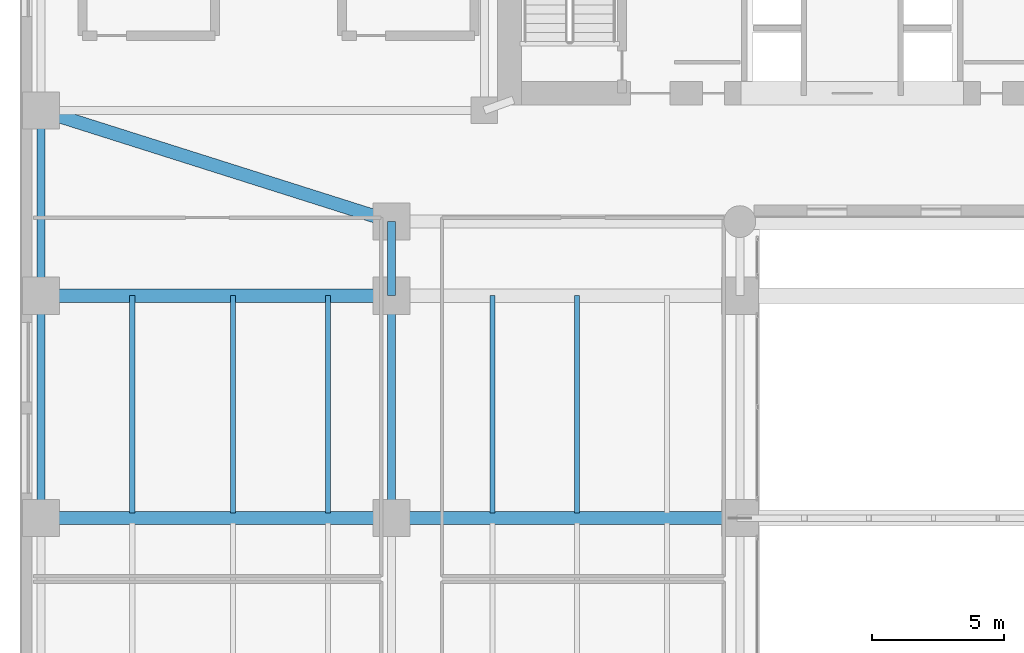
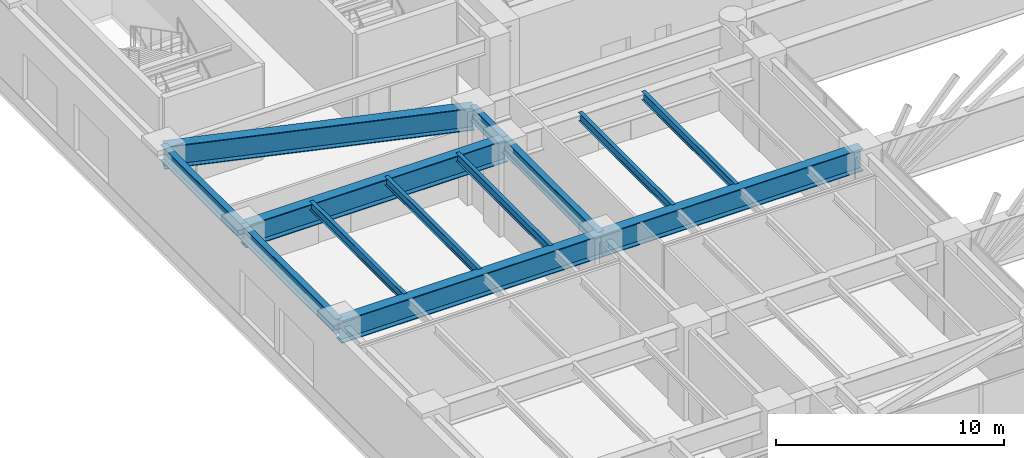
# One storey, part 10 of 39: 13 beams.
"""IFC4 building model written with IfcOpenShell, lengths in metres."""

from ifc_helpers import new_model, si_unit, direction, frame, origin, origin_2d, place, context, subcontext, project, spatial, i_section, extrude, source, transform, mapped, material, material_profile, profile_set, type_object, type_shapes, element, save


model = new_model("IFC4")

# Units and contexts
model_context = context("Model", 3, precision=1e-05, world=origin(), true_north=direction((0.0, 1.0)))
body_context = subcontext(model_context, "Body", "Model", "MODEL_VIEW")
ifc_project = project(units=[si_unit("LENGTHUNIT", "METRE"), si_unit("AREAUNIT", "SQUARE_METRE"), si_unit("VOLUMEUNIT", "CUBIC_METRE"), si_unit("PLANEANGLEUNIT", "RADIAN"), si_unit("MASSUNIT", "GRAM", prefix="KILO")], contexts=[model_context])

# Site, building, storey
site_placement = place(None, origin())
site = spatial("IfcSite", under=ifc_project, at=site_placement, CompositionType="ELEMENT")
building_placement = place(site_placement, origin())
building = spatial("IfcBuilding", under=site, at=building_placement, Name="Tolvann Quenvar Hotel", CompositionType="ELEMENT")
storey_placement = place(building_placement, frame((0.0, 0.0, 11.0)))
storey = spatial("IfcBuildingStorey", under=building, at=storey_placement, Name="L02", CompositionType="ELEMENT", Elevation=11.0)

# Beams
ifc_material = material(Name="Steel Grade 350", Category="steel")
ifc_material_profile_1 = material_profile(ifc_material, i_section(OverallWidth=0.5, OverallDepth=1.199951171875, WebThickness=0.01611328125, FlangeThickness=0.0400390625, at=origin_2d()), Name="1200WB455")
ifc_profile_set_1 = profile_set([ifc_material_profile_1], Name="Steel Grade 350")
beam_type_1 = type_object("IfcBeamType", Name="BM_TG_1200WB455", PredefinedType="USERDEFINED", material=ifc_profile_set_1)
shared_shape_1 = source(origin(), body_context, "Body", "SweptSolid", [
    extrude(i_section(OverallWidth=0.5, OverallDepth=1.199951171875, WebThickness=0.01611328125, FlangeThickness=0.0400390625, at=origin_2d()), origin(), (0.0, 0.0, 1.0), 13.25),
])
for number, where, z_axis, x_axis, name in (
    (1, (-7.64990234375, 16.0, 4.139892578125), (1.0, 0.0, 0.0), (0.0, 1.0, 0.0), "BM-L02-GW1-3"),
    (2, (-7.64990234375, 24.39990234375, 4.139892578125), (1.0, 0.0, 0.0), (0.0, 1.0, 0.0), "BM-L02-GW1-4"),
):
    element("IfcBeam", number, at=place(storey_placement, frame(where, z_axis=z_axis, x_axis=x_axis)), inside=storey, type_object=beam_type_1, Name=name, ObjectType="TRANSFER GIRDER", PredefinedType="USERDEFINED", context=body_context, shape_type="MappedRepresentation", body=[
        mapped(shared_shape_1, transform((0.0, 0.0, 0.0), x_axis=(1.0, 0.0, 0.0), y_axis=(0.0, 1.0, 0.0), z_axis=(0.0, 0.0, 1.0), scale=1.0)),
    ])
shared_shape_2 = source(origin(), body_context, "Body", "SweptSolid", [
    extrude(i_section(OverallWidth=0.5, OverallDepth=1.199951171875, WebThickness=0.01611328125, FlangeThickness=0.0400390625, at=origin_2d()), origin(), (0.0, 0.0, 1.0), 13.14990234375),
])
beam_1_placement = place(storey_placement, frame((5.60009765625, 16.0, 4.139892578125), z_axis=(1.0, 0.0, 0.0), x_axis=(0.0, 1.0, 0.0)))
element("IfcBeam", 3, at=beam_1_placement, inside=storey, type_object=beam_type_1, Name="BM-L02-GW2-3", ObjectType="TRANSFER GIRDER", PredefinedType="USERDEFINED", context=body_context, shape_type="MappedRepresentation", body=[
    mapped(shared_shape_2, transform((0.0, 0.0, 0.0), x_axis=(1.0, 0.0, 0.0), y_axis=(0.0, 1.0, 0.0), z_axis=(0.0, 0.0, 1.0), scale=1.0)),
])
shared_shape_3 = source(origin(), body_context, "Body", "SweptSolid", [
    extrude(i_section(OverallWidth=0.5, OverallDepth=1.199951171875, WebThickness=0.01611328125, FlangeThickness=0.0400390625, at=origin_2d()), origin(), (0.0, 0.0, 1.0), 13.899658203125),
])
type_shapes(beam_type_1, [shared_shape_1, shared_shape_2, shared_shape_3])
beam_2_placement = place(storey_placement, frame((-7.64990234375, 31.39990234375, 4.139892578125), z_axis=(0.953256923778, -0.302160945971, 0.0), x_axis=(0.302160945971, 0.953256923778, 0.0)))
element("IfcBeam", 4, at=beam_2_placement, inside=storey, type_object=beam_type_1, Name="BM-L02-GW1-5", ObjectType="TRANSFER GIRDER", PredefinedType="USERDEFINED", context=body_context, shape_type="MappedRepresentation", body=[
    mapped(shared_shape_3, transform((0.0, 0.0, 0.0), x_axis=(1.0, 0.0, 0.0), y_axis=(0.0, 1.0, 0.0), z_axis=(0.0, 0.0, 1.0), scale=1.0)),
])
ifc_material_profile_2 = material_profile(ifc_material, i_section(OverallWidth=0.300048828125, OverallDepth=0.81591796875, WebThickness=0.010009765625, FlangeThickness=0.028076171875, at=origin_2d()), Name="800WB192")
ifc_profile_set_2 = profile_set([ifc_material_profile_2], Name="Steel Grade 350")
beam_type_2 = type_object("IfcBeamType", Name="BM_GIRD_800WB192", PredefinedType="BEAM", material=ifc_profile_set_2)
shared_shape_4 = source(origin(), body_context, "Body", "SweptSolid", [
    extrude(i_section(OverallWidth=0.300048828125, OverallDepth=0.81591796875, WebThickness=0.010009765625, FlangeThickness=0.028076171875, at=origin_2d()), origin(), (0.0, 0.0, 1.0), 8.39990234375),
])
for number, where, z_axis, x_axis, name in (
    (5, (5.60009765625, 16.0, 4.33203125), (0.0, 1.0, 0.0), (-1.0, 0.0, 0.0), "BM-L02-NS-PBAL-2"),
    (6, (-7.64990234375, 16.0, 4.33203125), (0.0, 1.0, 0.0), (-1.0, 0.0, 0.0), "BM-L02-NS-A-2"),
):
    element("IfcBeam", number, at=place(storey_placement, frame(where, z_axis=z_axis, x_axis=x_axis)), inside=storey, type_object=beam_type_2, Name=name, PredefinedType="BEAM", context=body_context, shape_type="MappedRepresentation", body=[
        mapped(shared_shape_4, transform((0.0, 0.0, 0.0), x_axis=(1.0, 0.0, 0.0), y_axis=(0.0, 1.0, 0.0), z_axis=(0.0, 0.0, 1.0), scale=1.0)),
    ])
shared_shape_5 = source(origin(), body_context, "Body", "SweptSolid", [
    extrude(i_section(OverallWidth=0.300048828125, OverallDepth=0.81591796875, WebThickness=0.010009765625, FlangeThickness=0.028076171875, at=origin_2d()), origin(), (0.0, 0.0, 1.0), 2.800048828125),
])
beam_3_placement = place(storey_placement, frame((5.60009765625, 24.39990234375, 4.33203125), z_axis=(0.0, 1.0, 0.0), x_axis=(-1.0, 0.0, 0.0)))
element("IfcBeam", 7, at=beam_3_placement, inside=storey, type_object=beam_type_2, Name="BM-L02-NS-PBAL-3", PredefinedType="BEAM", context=body_context, shape_type="MappedRepresentation", body=[
    mapped(shared_shape_5, transform((0.0, 0.0, 0.0), x_axis=(1.0, 0.0, 0.0), y_axis=(0.0, 1.0, 0.0), z_axis=(0.0, 0.0, 1.0), scale=1.0)),
])
shared_shape_6 = source(origin(), body_context, "Body", "SweptSolid", [
    extrude(i_section(OverallWidth=0.300048828125, OverallDepth=0.81591796875, WebThickness=0.010009765625, FlangeThickness=0.028076171875, at=origin_2d()), origin(), (0.0, 0.0, 1.0), 7.0),
])
type_shapes(beam_type_2, [shared_shape_4, shared_shape_5, shared_shape_6])
beam_4_placement = place(storey_placement, frame((-7.64990234375, 24.39990234375, 4.33203125), z_axis=(0.0, 1.0, 0.0), x_axis=(-1.0, 0.0, 0.0)))
element("IfcBeam", 8, at=beam_4_placement, inside=storey, type_object=beam_type_2, Name="BM-L02-NS-A-3", PredefinedType="BEAM", context=body_context, shape_type="MappedRepresentation", body=[
    mapped(shared_shape_6, transform((0.0, 0.0, 0.0), x_axis=(1.0, 0.0, 0.0), y_axis=(0.0, 1.0, 0.0), z_axis=(0.0, 0.0, 1.0), scale=1.0)),
])
ifc_material_profile_3 = material_profile(ifc_material, i_section(OverallWidth=0.18994140625, OverallDepth=0.4541015625, WebThickness=0.008544921875, FlangeThickness=0.0126953125, FilletRadius=0.011474609375, at=origin_2d()), Name="460UB67")
ifc_profile_set_3 = profile_set([ifc_material_profile_3], Name="Steel Grade 350")
beam_type_3 = type_object("IfcBeamType", Name="BM_JOIST_460UB67", PredefinedType="JOIST", material=ifc_profile_set_3)
shared_shape_7 = source(origin(), body_context, "Body", "SweptSolid", [
    extrude(i_section(OverallWidth=0.18994140625, OverallDepth=0.4541015625, WebThickness=0.008544921875, FlangeThickness=0.0126953125, FilletRadius=0.011474609375, at=origin_2d()), origin(), (0.0, 0.0, 1.0), 8.21484375),
])
type_shapes(beam_type_3, [shared_shape_7])
for number, where, z_axis, x_axis, name in (
    (9, (-4.199951171875, 16.18505859375, 4.512939453125), (0.0, 1.0, 0.0), (-1.0, 0.0, 0.0), "BJ-L02--42-160"),
    (10, (-0.39990234375, 16.18505859375, 4.512939453125), (0.0, 1.0, 0.0), (-1.0, 0.0, 0.0), "BJ-L02--4-160"),
    (11, (3.199951171875, 16.18505859375, 4.512939453125), (0.0, 1.0, 0.0), (-1.0, 0.0, 0.0), "BJ-L02-32-160"),
    (12, (9.39990234375, 16.18505859375, 4.512939453125), (0.0, 1.0, 0.0), (-1.0, 0.0, 0.0), "BJ-L02-94-160"),
    (13, (12.60009765625, 16.18505859375, 4.512939453125), (0.0, 1.0, 0.0), (-1.0, 0.0, 0.0), "BJ-L02-126-160"),
):
    element("IfcBeam", number, at=place(storey_placement, frame(where, z_axis=z_axis, x_axis=x_axis)), inside=storey, type_object=beam_type_3, Name=name, PredefinedType="JOIST", context=body_context, shape_type="MappedRepresentation", body=[
        mapped(shared_shape_7, transform((0.0, 0.0, 0.0), x_axis=(1.0, 0.0, 0.0), y_axis=(0.0, 1.0, 0.0), z_axis=(0.0, 0.0, 1.0), scale=1.0)),
    ])

save(model, "model.ifc")
